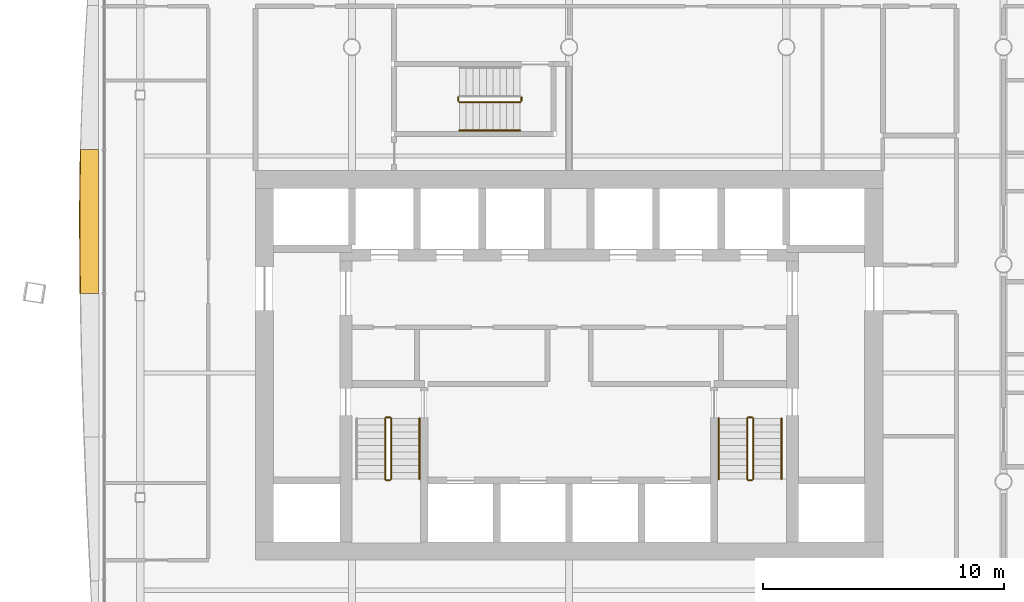
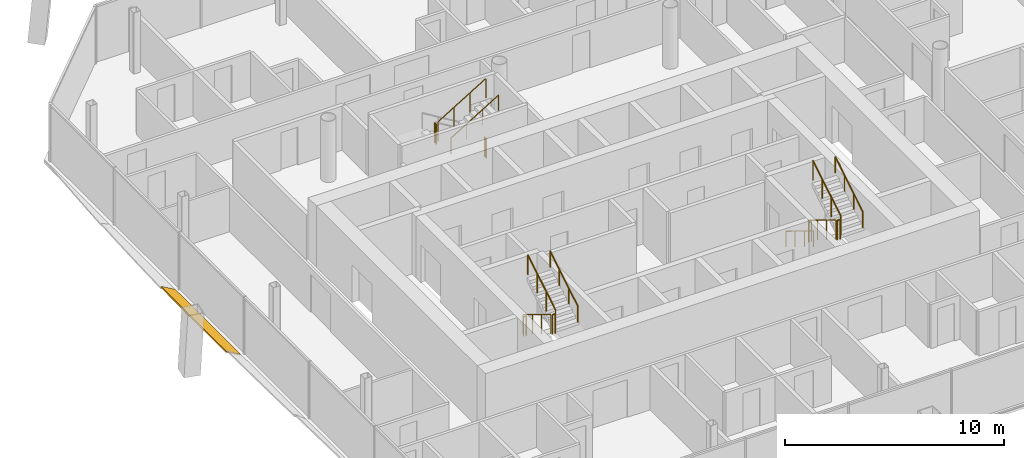
# One storey, part 17 of 18: 15 railings, 1 shading device.
"""IFC4 building model written with IfcOpenShell, lengths in metres."""

from ifc_helpers import new_model, si_unit, direction, frame, origin, origin_2d, place, context, subcontext, project, spatial, polyline, circle, outline, extrude, material, layer, layer_set, type_object, element, save


model = new_model("IFC4")

# Units and contexts
model_context = context("Model", 3, precision=1e-05, world=origin(), true_north=direction((0.0, 1.0)))
body_context = subcontext(model_context, "Body", "Model", "MODEL_VIEW")
ifc_project = project(units=[si_unit("LENGTHUNIT", "METRE"), si_unit("AREAUNIT", "SQUARE_METRE"), si_unit("VOLUMEUNIT", "CUBIC_METRE"), si_unit("PLANEANGLEUNIT", "RADIAN"), si_unit("MASSUNIT", "GRAM", prefix="KILO")], contexts=[model_context])

# Site, building, storey
site_placement = place(None, origin())
site = spatial("IfcSite", under=ifc_project, at=site_placement, CompositionType="ELEMENT")
building_placement = place(site_placement, origin())
building = spatial("IfcBuilding", under=site, at=building_placement, Name="Tskaro Facet Tower", CompositionType="ELEMENT")
storey_placement = place(building_placement, frame((0.0, 0.0, 145.300048828125)))
storey = spatial("IfcBuildingStorey", under=building, at=storey_placement, Name="L35", CompositionType="ELEMENT", Elevation=145.300048828125)

# Shading device
ifc_material_1 = material(Name="Bronze anodised aluminium 6063-T6", Category="aluminium")
ifc_layer = layer(ifc_material_1, 0.06005859375, Name="Bronze anodised aluminium 6063-T6")
ifc_layer_set = layer_set([ifc_layer], Name="Bronze anodised aluminium 6063-T6")
shading_device_type = type_object("IfcShadingDeviceType", Name="Bronze sun blade (FN1)", PredefinedType="USERDEFINED", material=ifc_layer_set)
shading_device_placement = place(storey_placement, frame((-19.491943359375, 4.768310546875, 0.052001953125), z_axis=(0.499926170991, 7.728497e-06, 0.866068024752), x_axis=(3.863678e-06, -0.99999999997, 6.693404e-06)))
element("IfcShadingDevice", 1, at=shading_device_placement, inside=storey, type_object=shading_device_type, Name="Fin blade west 3", ObjectType="FIN", PredefinedType="USERDEFINED", context=body_context, shape_type="SweptSolid", body=[
    extrude(outline(polyline([(0.0, 0.0), (5.96386718732189, 2.52579600043067e-21), (5.963867187809217, -0.8730665689689778), (5.218261718496866, -0.8834530354015757), (4.472900390128376, -0.8913262588952003), (3.727294921706189, -0.8961413023842848), (2.9819335942278626, -0.8984431029343961), (2.7434082026667053, -0.898654545323258), (2.2363281243708575, -0.8972311765154188), (1.4909667976631407, -0.8905698794407715), (0.7453613279523321, -0.8780930548469241), (-2.4331953779236533e-10, -0.8600448073095635), (0.0, 0.0)])), origin(), (0.0, 0.0, -1.0), 0.06005859375),
])

# Railings
ifc_material_2 = material(Name="Stainless steel", Category="steel")
railing_type_1 = type_object("IfcRailingType", Name="RL-GUARD-1100", PredefinedType="GUARDRAIL", material=ifc_material_2)
railing_1_placement = place(storey_placement, frame((-7.625, -6.375, 0.169921875)))
element("IfcRailing", 2, at=railing_1_placement, inside=storey, type_object=railing_type_1, Name="L35 ST-1 stair guard 1", PredefinedType="GUARDRAIL", context=body_context, shape_type="SweptSolid", body=[
    extrude(circle(Radius=0.02392578125, at=origin_2d()), frame((0.0, 0.0, 1.076171875), z_axis=(0.0, -0.85478489116, 0.518982456201), x_axis=(1.0, 0.0, 0.0)), (0.0, 0.0, 1.0), 2.9482421875),
    extrude(circle(Radius=0.02099609375, at=origin_2d()), origin(), (0.0, 0.0, 1.0), 1.052001953125),
    extrude(circle(Radius=0.02099609375, at=origin_2d()), frame((0.0, -0.840087890625, 0.510009765625)), (0.0, 0.0, 1.0), 1.052001953125),
    extrude(circle(Radius=0.02099609375, at=origin_2d()), frame((0.0, -1.679931640625, 1.02001953125)), (0.0, 0.0, 1.0), 1.052001953125),
    extrude(circle(Radius=0.02099609375, at=origin_2d()), frame((0.0, -2.52001953125, 1.530029296875)), (0.0, 0.0, 1.0), 1.052001953125),
])
railing_2_placement = place(storey_placement, frame((-7.574951171875, -8.945068359375, 1.699951171875)))
element("IfcRailing", 3, at=railing_2_placement, inside=storey, type_object=railing_type_1, Name="L35 ST-1 stair guard 2", PredefinedType="GUARDRAIL", context=body_context, shape_type="SweptSolid", body=[
    extrude(circle(Radius=0.02392578125, at=origin_2d()), frame((0.0, 0.0, 1.076171875), z_axis=(1.0, 0.0, 0.0), x_axis=(0.0, 1.0, 0.0)), (0.0, 0.0, 1.0), 0.14990234375),
    extrude(circle(Radius=0.02099609375, at=origin_2d()), origin(), (0.0, 0.0, 1.0), 1.052001953125),
    extrude(circle(Radius=0.02099609375, at=origin_2d()), frame((0.14990234375, 0.0, 0.0)), (0.0, 0.0, 1.0), 1.052001953125),
])
railing_3_placement = place(storey_placement, frame((-7.375, -8.89501953125, 1.869873046875)))
element("IfcRailing", 4, at=railing_3_placement, inside=storey, type_object=railing_type_1, Name="L35 ST-1 stair guard 3", PredefinedType="GUARDRAIL", context=body_context, shape_type="SweptSolid", body=[
    extrude(circle(Radius=0.02392578125, at=origin_2d()), frame((0.0, 0.0, 1.076171875), z_axis=(0.0, 0.85478489116, 0.518982456201), x_axis=(-1.0, 0.0, 0.0)), (0.0, 0.0, 1.0), 2.9482421875),
    extrude(circle(Radius=0.02099609375, at=origin_2d()), origin(), (0.0, 0.0, 1.0), 1.052001953125),
    extrude(circle(Radius=0.02099609375, at=origin_2d()), frame((0.0, 0.840087890625, 0.510009765625)), (0.0, 0.0, 1.0), 1.052001953125),
    extrude(circle(Radius=0.02099609375, at=origin_2d()), frame((0.0, 1.679931640625, 1.02001953125)), (0.0, 0.0, 1.0), 1.052001953125),
    extrude(circle(Radius=0.02099609375, at=origin_2d()), frame((0.0, 2.52001953125, 1.530029296875)), (0.0, 0.0, 1.0), 1.052001953125),
])
railing_4_placement = place(storey_placement, frame((-7.574951171875, -6.324951171875, 0.0)))
element("IfcRailing", 5, at=railing_4_placement, inside=storey, type_object=railing_type_1, Name="L35 ST-1 stair guard 4", PredefinedType="GUARDRAIL", context=body_context, shape_type="SweptSolid", body=[
    extrude(circle(Radius=0.02392578125, at=origin_2d()), frame((0.0, 0.0, 1.076171875), z_axis=(1.0, 0.0, 0.0), x_axis=(0.0, 1.0, 0.0)), (0.0, 0.0, 1.0), 0.14990234375),
    extrude(circle(Radius=0.02099609375, at=origin_2d()), origin(), (0.0, 0.0, 1.0), 1.052001953125),
    extrude(circle(Radius=0.02099609375, at=origin_2d()), frame((0.14990234375, 0.0, 0.0)), (0.0, 0.0, 1.0), 1.052001953125),
])
railing_5_placement = place(storey_placement, frame((7.375, -6.375, 0.169921875)))
element("IfcRailing", 6, at=railing_5_placement, inside=storey, type_object=railing_type_1, Name="L35 ST-2 stair guard 1", PredefinedType="GUARDRAIL", context=body_context, shape_type="SweptSolid", body=[
    extrude(circle(Radius=0.02392578125, at=origin_2d()), frame((0.0, 0.0, 1.076171875), z_axis=(0.0, -0.85478489116, 0.518982456201), x_axis=(1.0, 0.0, 0.0)), (0.0, 0.0, 1.0), 2.9482421875),
    extrude(circle(Radius=0.02099609375, at=origin_2d()), origin(), (0.0, 0.0, 1.0), 1.052001953125),
    extrude(circle(Radius=0.02099609375, at=origin_2d()), frame((0.0, -0.840087890625, 0.510009765625)), (0.0, 0.0, 1.0), 1.052001953125),
    extrude(circle(Radius=0.02099609375, at=origin_2d()), frame((0.0, -1.679931640625, 1.02001953125)), (0.0, 0.0, 1.0), 1.052001953125),
    extrude(circle(Radius=0.02099609375, at=origin_2d()), frame((0.0, -2.52001953125, 1.530029296875)), (0.0, 0.0, 1.0), 1.052001953125),
])
railing_6_placement = place(storey_placement, frame((7.425048828125, -8.945068359375, 1.699951171875)))
element("IfcRailing", 7, at=railing_6_placement, inside=storey, type_object=railing_type_1, Name="L35 ST-2 stair guard 2", PredefinedType="GUARDRAIL", context=body_context, shape_type="SweptSolid", body=[
    extrude(circle(Radius=0.02392578125, at=origin_2d()), frame((0.0, 0.0, 1.076171875), z_axis=(1.0, 0.0, 0.0), x_axis=(0.0, 1.0, 0.0)), (0.0, 0.0, 1.0), 0.14990234375),
    extrude(circle(Radius=0.02099609375, at=origin_2d()), origin(), (0.0, 0.0, 1.0), 1.052001953125),
    extrude(circle(Radius=0.02099609375, at=origin_2d()), frame((0.14990234375, 0.0, 0.0)), (0.0, 0.0, 1.0), 1.052001953125),
])
railing_7_placement = place(storey_placement, frame((7.625, -8.89501953125, 1.869873046875)))
element("IfcRailing", 8, at=railing_7_placement, inside=storey, type_object=railing_type_1, Name="L35 ST-2 stair guard 3", PredefinedType="GUARDRAIL", context=body_context, shape_type="SweptSolid", body=[
    extrude(circle(Radius=0.02392578125, at=origin_2d()), frame((0.0, 0.0, 1.076171875), z_axis=(0.0, 0.85478489116, 0.518982456201), x_axis=(-1.0, 0.0, 0.0)), (0.0, 0.0, 1.0), 2.9482421875),
    extrude(circle(Radius=0.02099609375, at=origin_2d()), origin(), (0.0, 0.0, 1.0), 1.052001953125),
    extrude(circle(Radius=0.02099609375, at=origin_2d()), frame((0.0, 0.840087890625, 0.510009765625)), (0.0, 0.0, 1.0), 1.052001953125),
    extrude(circle(Radius=0.02099609375, at=origin_2d()), frame((0.0, 1.679931640625, 1.02001953125)), (0.0, 0.0, 1.0), 1.052001953125),
    extrude(circle(Radius=0.02099609375, at=origin_2d()), frame((0.0, 2.52001953125, 1.530029296875)), (0.0, 0.0, 1.0), 1.052001953125),
])
railing_8_placement = place(storey_placement, frame((7.425048828125, -6.324951171875, 0.0)))
element("IfcRailing", 9, at=railing_8_placement, inside=storey, type_object=railing_type_1, Name="L35 ST-2 stair guard 4", PredefinedType="GUARDRAIL", context=body_context, shape_type="SweptSolid", body=[
    extrude(circle(Radius=0.02392578125, at=origin_2d()), frame((0.0, 0.0, 1.076171875), z_axis=(1.0, 0.0, 0.0), x_axis=(0.0, 1.0, 0.0)), (0.0, 0.0, 1.0), 0.14990234375),
    extrude(circle(Radius=0.02099609375, at=origin_2d()), origin(), (0.0, 0.0, 1.0), 1.052001953125),
    extrude(circle(Radius=0.02099609375, at=origin_2d()), frame((0.14990234375, 0.0, 0.0)), (0.0, 0.0, 1.0), 1.052001953125),
])
railing_9_placement = place(storey_placement, frame((-4.594970703125, 6.925048828125, 1.699951171875)))
element("IfcRailing", 10, at=railing_9_placement, inside=storey, type_object=railing_type_1, Name="L35 ST-3 stair guard 2", PredefinedType="GUARDRAIL", context=body_context, shape_type="SweptSolid", body=[
    extrude(circle(Radius=0.02392578125, at=origin_2d()), frame((0.0, 0.0, 1.076171875), z_axis=(0.0, -1.0, 0.0), x_axis=(1.0, 0.0, 0.0)), (0.0, 0.0, 1.0), 0.150146484375),
    extrude(circle(Radius=0.02099609375, at=origin_2d()), origin(), (0.0, 0.0, 1.0), 1.052001953125),
    extrude(circle(Radius=0.02099609375, at=origin_2d()), frame((0.0, -0.150146484375, 0.0)), (0.0, 0.0, 1.0), 1.052001953125),
])
railing_10_placement = place(storey_placement, frame((-4.544921875, 6.72509765625, 1.869873046875)))
element("IfcRailing", 11, at=railing_10_placement, inside=storey, type_object=railing_type_1, Name="L35 ST-3 stair guard 3", PredefinedType="GUARDRAIL", context=body_context, shape_type="SweptSolid", body=[
    extrude(circle(Radius=0.02392578125, at=origin_2d()), frame((0.0, 0.0, 1.076171875), z_axis=(0.85478489116, 0.0, 0.518982456201), x_axis=(0.0, 1.0, 0.0)), (0.0, 0.0, 1.0), 2.9482421875),
    extrude(circle(Radius=0.02099609375, at=origin_2d()), origin(), (0.0, 0.0, 1.0), 1.052001953125),
    extrude(circle(Radius=0.02099609375, at=origin_2d()), frame((0.840087890625, 0.0, 0.510009765625)), (0.0, 0.0, 1.0), 1.052001953125),
    extrude(circle(Radius=0.02099609375, at=origin_2d()), frame((1.679931640625, 0.0, 1.02001953125)), (0.0, 0.0, 1.0), 1.052001953125),
    extrude(circle(Radius=0.02099609375, at=origin_2d()), frame((2.52001953125, 0.0, 1.530029296875)), (0.0, 0.0, 1.0), 1.052001953125),
])
railing_11_placement = place(storey_placement, frame((-1.97509765625, 6.925048828125, 0.0)))
element("IfcRailing", 12, at=railing_11_placement, inside=storey, type_object=railing_type_1, Name="L35 ST-3 stair guard 4", PredefinedType="GUARDRAIL", context=body_context, shape_type="SweptSolid", body=[
    extrude(circle(Radius=0.02392578125, at=origin_2d()), frame((0.0, 0.0, 1.076171875), z_axis=(0.0, -1.0, 0.0), x_axis=(1.0, 0.0, 0.0)), (0.0, 0.0, 1.0), 0.150146484375),
    extrude(circle(Radius=0.02099609375, at=origin_2d()), origin(), (0.0, 0.0, 1.0), 1.052001953125),
    extrude(circle(Radius=0.02099609375, at=origin_2d()), frame((0.0, -0.150146484375, 0.0)), (0.0, 0.0, 1.0), 1.052001953125),
])
railing_type_2 = type_object("IfcRailingType", Name="RL-HANDRAIL-900", PredefinedType="HANDRAIL", material=ifc_material_2)
railing_12_placement = place(storey_placement, frame((-6.199951171875, -8.89501953125, 1.869873046875)))
element("IfcRailing", 13, at=railing_12_placement, inside=storey, type_object=railing_type_2, Name="L35 ST-1 stair handrail 2", PredefinedType="HANDRAIL", context=body_context, shape_type="SweptSolid", body=[
    extrude(circle(Radius=0.02392578125, at=origin_2d()), frame((0.0, 0.0, 0.8759765625), z_axis=(0.0, 0.85478489116, 0.518982456201), x_axis=(-1.0, 0.0, 0.0)), (0.0, 0.0, 1.0), 2.9482421875),
    extrude(circle(Radius=0.02099609375, at=origin_2d()), origin(), (0.0, 0.0, 1.0), 0.851806640625),
    extrude(circle(Radius=0.02099609375, at=origin_2d()), frame((0.0, 0.840087890625, 0.510009765625)), (0.0, 0.0, 1.0), 0.851806640625),
    extrude(circle(Radius=0.02099609375, at=origin_2d()), frame((0.0, 1.679931640625, 1.02001953125)), (0.0, 0.0, 1.0), 0.851806640625),
    extrude(circle(Radius=0.02099609375, at=origin_2d()), frame((0.0, 2.52001953125, 1.530029296875)), (0.0, 0.0, 1.0), 0.851806640625),
])
railing_13_placement = place(storey_placement, frame((6.199951171875, -6.375, 0.169921875)))
element("IfcRailing", 14, at=railing_13_placement, inside=storey, type_object=railing_type_2, Name="L35 ST-2 stair handrail 1", PredefinedType="HANDRAIL", context=body_context, shape_type="SweptSolid", body=[
    extrude(circle(Radius=0.02392578125, at=origin_2d()), frame((0.0, 0.0, 0.8759765625), z_axis=(0.0, -0.85478489116, 0.518982456201), x_axis=(1.0, 0.0, 0.0)), (0.0, 0.0, 1.0), 2.9482421875),
    extrude(circle(Radius=0.02099609375, at=origin_2d()), origin(), (0.0, 0.0, 1.0), 0.851806640625),
    extrude(circle(Radius=0.02099609375, at=origin_2d()), frame((0.0, -0.840087890625, 0.510009765625)), (0.0, 0.0, 1.0), 0.851806640625),
    extrude(circle(Radius=0.02099609375, at=origin_2d()), frame((0.0, -1.679931640625, 1.02001953125)), (0.0, 0.0, 1.0), 0.851806640625),
    extrude(circle(Radius=0.02099609375, at=origin_2d()), frame((0.0, -2.52001953125, 1.530029296875)), (0.0, 0.0, 1.0), 0.851806640625),
])
railing_14_placement = place(storey_placement, frame((8.800048828125, -8.89501953125, 1.869873046875)))
element("IfcRailing", 15, at=railing_14_placement, inside=storey, type_object=railing_type_2, Name="L35 ST-2 stair handrail 2", PredefinedType="HANDRAIL", context=body_context, shape_type="SweptSolid", body=[
    extrude(circle(Radius=0.02392578125, at=origin_2d()), frame((0.0, 0.0, 0.8759765625), z_axis=(0.0, 0.85478489116, 0.518982456201), x_axis=(-1.0, 0.0, 0.0)), (0.0, 0.0, 1.0), 2.9482421875),
    extrude(circle(Radius=0.02099609375, at=origin_2d()), origin(), (0.0, 0.0, 1.0), 0.851806640625),
    extrude(circle(Radius=0.02099609375, at=origin_2d()), frame((0.0, 0.840087890625, 0.510009765625)), (0.0, 0.0, 1.0), 0.851806640625),
    extrude(circle(Radius=0.02099609375, at=origin_2d()), frame((0.0, 1.679931640625, 1.02001953125)), (0.0, 0.0, 1.0), 0.851806640625),
    extrude(circle(Radius=0.02099609375, at=origin_2d()), frame((0.0, 2.52001953125, 1.530029296875)), (0.0, 0.0, 1.0), 0.851806640625),
])
railing_15_placement = place(storey_placement, frame((-4.544921875, 5.550048828125, 1.869873046875)))
element("IfcRailing", 16, at=railing_15_placement, inside=storey, type_object=railing_type_2, Name="L35 ST-3 stair handrail 2", PredefinedType="HANDRAIL", context=body_context, shape_type="SweptSolid", body=[
    extrude(circle(Radius=0.02392578125, at=origin_2d()), frame((0.0, 0.0, 0.8759765625), z_axis=(0.85478489116, 0.0, 0.518982456201), x_axis=(0.0, 1.0, 0.0)), (0.0, 0.0, 1.0), 2.9482421875),
    extrude(circle(Radius=0.02099609375, at=origin_2d()), origin(), (0.0, 0.0, 1.0), 0.851806640625),
    extrude(circle(Radius=0.02099609375, at=origin_2d()), frame((0.840087890625, 0.0, 0.510009765625)), (0.0, 0.0, 1.0), 0.851806640625),
    extrude(circle(Radius=0.02099609375, at=origin_2d()), frame((1.679931640625, 0.0, 1.02001953125)), (0.0, 0.0, 1.0), 0.851806640625),
    extrude(circle(Radius=0.02099609375, at=origin_2d()), frame((2.52001953125, 0.0, 1.530029296875)), (0.0, 0.0, 1.0), 0.851806640625),
])

save(model, "model.ifc")
